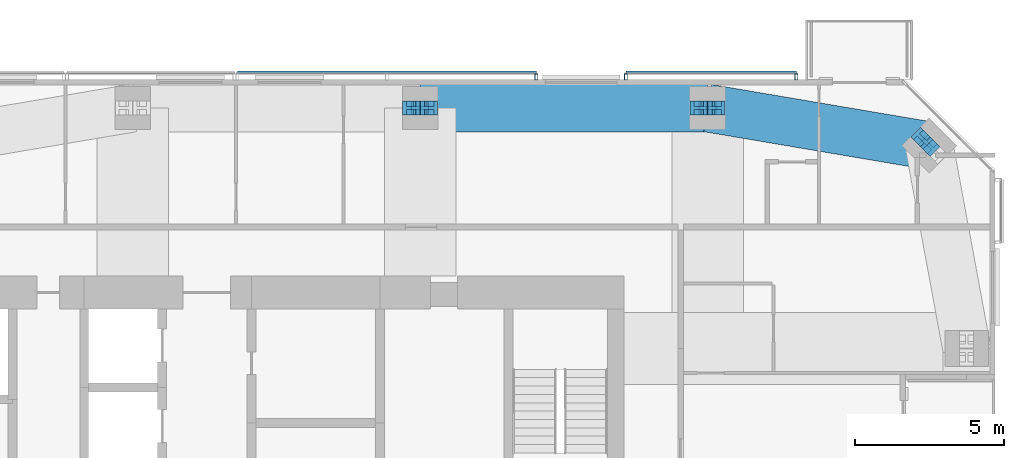
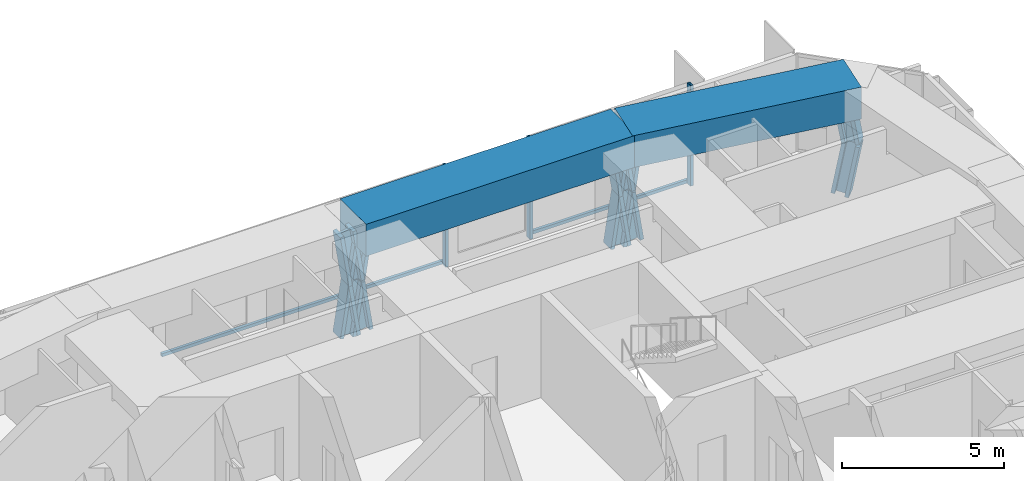
# One storey, part 11 of 20: 15 members, 2 beams, 2 elements without a shape of their own.
"""IFC4 building model written with IfcOpenShell, lengths in metres."""

import ifcopenshell
import ifcopenshell.guid

model = None  # the IFC model being written
_history = None  # IfcOwnerHistory: only IFC2X3 demands one
_inside = {}  # id of a spatial element -> (the spatial element, [elements in it])
_under = {}  # id of a project, library or spatial element -> (it, [spatial elements below it])
_declared = {}  # id of a project -> (the project, [libraries it declares])
_typed = {}  # id of a type object -> (the type object, [elements of that type])
_made_of = {}  # id of a material, layer set ... -> (it, [elements and type objects made of it])


def new_model(schema):
    """Start an empty IFC model of exactly this schema.

    Asked for "IFC4X3", IfcOpenShell would pick the latest addendum, in which some entities
    have other attributes; the version numbers below select the first issue.
    IFC2X3 requires an IfcOwnerHistory on every rooted entity: one is made here for all.
    """
    global model, _history
    if schema == "IFC4X3":
        model = ifcopenshell.file(schema_version=(4, 3, 0, 0))
    else:
        model = ifcopenshell.file(schema=schema)
    _inside.clear()
    _under.clear()
    _declared.clear()
    _typed.clear()
    _made_of.clear()
    _history = None
    if model.schema == "IFC2X3":
        org = make("IfcOrganization", Name="unknown")
        user = make(
            "IfcPersonAndOrganization",
            ThePerson=make("IfcPerson", FamilyName="unknown"),
            TheOrganization=org,
        )
        app = make(
            "IfcApplication",
            ApplicationDeveloper=org,
            Version="unknown",
            ApplicationFullName="unknown",
            ApplicationIdentifier="unknown",
        )
        _history = make(
            "IfcOwnerHistory",
            OwningUser=user,
            OwningApplication=app,
            ChangeAction="ADDED",
            CreationDate=0,
        )
    return model


def make(cls, **values):
    """One entity of the class cls with the attributes given. An attribute that is None is left unset."""
    return model.create_entity(
        cls, **{name: value for name, value in values.items() if value is not None}
    )


def rooted(cls, **values):
    """An entity with a GlobalId (a new one), such as an element, a storey or a relation."""
    return make(cls, GlobalId=ifcopenshell.guid.new(), OwnerHistory=_history, **values)


def si_unit(unit_type, name, prefix=None):
    """IfcSIUnit, for example si_unit("LENGTHUNIT", "METRE", prefix="MILLI")."""
    return make("IfcSIUnit", UnitType=unit_type, Prefix=prefix, Name=name)


def assignment(units):
    """IfcUnitAssignment: the units of a project."""
    return None if units is None else make("IfcUnitAssignment", Units=units)


def point(xyz):
    """IfcCartesianPoint."""
    return None if xyz is None else make("IfcCartesianPoint", Coordinates=xyz)


def direction(xyz):
    """IfcDirection."""
    return None if xyz is None else make("IfcDirection", DirectionRatios=xyz)


def frame(location, z_axis=None, x_axis=None):
    """IfcAxis2Placement3D, a coordinate frame: its origin and axes. An axis left out is left unset."""
    return make(
        "IfcAxis2Placement3D",
        Location=point(location),
        Axis=direction(z_axis),
        RefDirection=direction(x_axis),
    )


def frame_2d(location, x_axis=None):
    """IfcAxis2Placement2D, a coordinate frame in the plane: its origin and x axis."""
    return make(
        "IfcAxis2Placement2D", Location=point(location), RefDirection=direction(x_axis)
    )


def origin():
    """The frame at (0, 0, 0) with its axes left unset."""
    return frame((0.0, 0.0, 0.0))


def origin_2d():
    """The frame at (0, 0) in the plane with its x axis left unset."""
    return frame_2d((0.0, 0.0))


def place(relative_to, where):
    """IfcLocalPlacement: puts the frame where relative to a parent placement (None: the world)."""
    return make(
        "IfcLocalPlacement", PlacementRelTo=relative_to, RelativePlacement=where
    )


def context(
    kind, dimensions, precision=None, world=None, true_north=None, identifier=None
):
    """IfcGeometricRepresentationContext, for example the 3D "Model" context."""
    return make(
        "IfcGeometricRepresentationContext",
        ContextIdentifier=identifier,
        ContextType=kind,
        CoordinateSpaceDimension=dimensions,
        Precision=precision,
        WorldCoordinateSystem=world,
        TrueNorth=true_north,
    )


def subcontext(parent, identifier, kind, view, scale=None):
    """IfcGeometricRepresentationSubContext, for example "Body" below "Model"."""
    return make(
        "IfcGeometricRepresentationSubContext",
        ContextIdentifier=identifier,
        ContextType=kind,
        ParentContext=parent,
        TargetScale=scale,
        TargetView=view,
    )


def project(units=None, contexts=None):
    """IfcProject with its units and contexts."""
    return rooted(
        "IfcProject",
        Name="project",
        RepresentationContexts=contexts,
        UnitsInContext=assignment(units),
    )


def spatial(cls, under=None, at=None, **own):
    """A site, building, storey or space (cls), placed at a placement, below another one or the project."""
    s = rooted(cls, ObjectPlacement=at, **own)
    if under is not None:
        _under.setdefault(under.id(), (under, []))[1].append(s)
    return s


def profile(cls, at=None, kind="AREA", **sizes):
    """A parametric profile (cls). Its sizes go by their IFC names, for example OverallWidth=200.0."""
    return make(cls, ProfileType=kind, Position=at, **sizes)


def rectangle(**sizes):
    """IfcRectangleProfileDef."""
    return profile("IfcRectangleProfileDef", **sizes)


def hollow_rectangle(**sizes):
    """IfcRectangleHollowProfileDef."""
    return profile("IfcRectangleHollowProfileDef", **sizes)


def i_section(**sizes):
    """IfcIShapeProfileDef."""
    return profile("IfcIShapeProfileDef", **sizes)


def extrude(swept, where, along, depth):
    """IfcExtrudedAreaSolid: the profile swept, set in the frame where, extruded along a direction by depth."""
    return make(
        "IfcExtrudedAreaSolid",
        SweptArea=swept,
        Position=where,
        ExtrudedDirection=direction(along),
        Depth=depth,
    )


def shape(context_of_items, identifier, shape_type, items):
    """IfcShapeRepresentation: the items that make up one representation, for example the "Body"."""
    return make(
        "IfcShapeRepresentation",
        ContextOfItems=context_of_items,
        RepresentationIdentifier=identifier,
        RepresentationType=shape_type,
        Items=items,
    )


def material(Name=None, Category=None):
    """IfcMaterial."""
    return make("IfcMaterial", Name=Name, Category=Category)


def material_profile(
    of_material, cross_section, Name=None, Category=None, Priority=None
):
    """IfcMaterialProfile: a cross section and its material."""
    return make(
        "IfcMaterialProfile",
        Name=Name,
        Material=of_material,
        Profile=cross_section,
        Priority=Priority,
        Category=Category,
    )


def profile_set(profiles, Name=None, composite=None):
    """IfcMaterialProfileSet."""
    return make(
        "IfcMaterialProfileSet",
        Name=Name,
        MaterialProfiles=profiles,
        CompositeProfile=composite,
    )


def made_of(thing, what):
    """Note that an element or type object is made of a material, layer set ...; save() writes the relation."""
    if what is not None:
        _made_of.setdefault(what.id(), (what, []))[1].append(thing)
    return thing


def type_object(cls, material=None, **own):
    """A type object (cls), such as IfcWallType, which elements share."""
    return made_of(rooted(cls, **own), material)


def element(
    cls,
    number,
    at=None,
    inside=None,
    cuts=None,
    type_object=None,
    material=None,
    context=None,
    identifier="Body",
    shape_type=None,
    held_by="IfcProductDefinitionShape",
    body=None,
    shapes=None,
    **own,
):
    """One element of the class cls, such as IfcWall. Its Tag is "e" and its number.

    at: its placement. inside: the storey or other place that contains it. cuts: it is an
    opening in that element (IfcRelVoidsElement). A single representation is given by context,
    identifier, shape_type and body (its items); several are given by shapes. held_by: the class
    of the entity that holds the representations. save() writes the other relations.
    """
    e = rooted(cls, Tag="e%d" % number, ObjectPlacement=at, **own)
    if body is not None:
        shapes = [shape(context, identifier, shape_type, body)]
    if shapes is not None:
        e.Representation = make(held_by, Representations=shapes)
    if inside is not None:
        _inside.setdefault(inside.id(), (inside, []))[1].append(e)
    if cuts is not None:
        rooted(
            "IfcRelVoidsElement", RelatingBuildingElement=cuts, RelatedOpeningElement=e
        )
    if type_object is not None:
        _typed.setdefault(type_object.id(), (type_object, []))[1].append(e)
    return made_of(e, material)


def aggregate(whole, parts):
    """IfcRelAggregates: a whole, such as a stair, and the parts it consists of."""
    return rooted("IfcRelAggregates", RelatingObject=whole, RelatedObjects=parts)


def save(model, path):
    """Write the relations noted so far, then the file.

    IfcRelAggregates (storeys below a building ...), IfcRelContainedInSpatialStructure (elements
    in a storey), IfcRelDefinesByType, IfcRelAssociatesMaterial and IfcRelDeclares: one each for
    every whole, place, type object, material and project.
    """
    for whole, parts in _under.values():
        aggregate(whole, parts)
    for where, things in _inside.values():
        rooted(
            "IfcRelContainedInSpatialStructure",
            RelatedElements=things,
            RelatingStructure=where,
        )
    for kind, things in _typed.values():
        rooted("IfcRelDefinesByType", RelatedObjects=things, RelatingType=kind)
    for what, things in _made_of.values():
        rooted("IfcRelAssociatesMaterial", RelatedObjects=things, RelatingMaterial=what)
    for by, libraries in _declared.values():
        rooted("IfcRelDeclares", RelatingContext=by, RelatedDefinitions=libraries)
    model.write(path)


model = new_model("IFC4")

# Units and contexts
model_context = context("Model", 3, precision=1e-05, world=origin(), true_north=direction((0.0, 1.0)))
body_context = subcontext(model_context, "Body", "Model", "MODEL_VIEW")
ifc_project = project(units=[si_unit("LENGTHUNIT", "METRE"), si_unit("AREAUNIT", "SQUARE_METRE"), si_unit("VOLUMEUNIT", "CUBIC_METRE"), si_unit("PLANEANGLEUNIT", "RADIAN"), si_unit("MASSUNIT", "GRAM", prefix="KILO")], contexts=[model_context])

# Site, building, storey
site_placement = place(None, origin())
site = spatial("IfcSite", under=ifc_project, at=site_placement, CompositionType="ELEMENT")
building_placement = place(site_placement, origin())
building = spatial("IfcBuilding", under=site, at=building_placement, Name="Jalousie Tower", CompositionType="ELEMENT")
storey_placement = place(building_placement, frame((0.0, 0.0, 259.949951171875)))
storey = spatial("IfcBuildingStorey", under=building, at=storey_placement, Name="L71", CompositionType="ELEMENT", Elevation=259.949951171875)

# Members
ifc_material_1 = material(Name="Steel ASTM A992 Grade 50", Category="steel")
ifc_material_profile_1 = material_profile(ifc_material_1, i_section(OverallWidth=0.472412109375, OverallDepth=0.5791015625, WebThickness=0.094970703125, FlangeThickness=0.1298828125, at=origin_2d()), Name="W14X808")
ifc_profile_set_1 = profile_set([ifc_material_profile_1], Name="Steel ASTM A992 Grade 50")
member_type_1 = type_object("IfcMemberType", Name="PERIMETER BRACE W14X808", PredefinedType="BRACE", material=ifc_profile_set_1)
for number, where, z_axis, x_axis, name in (
    (1, (54.29296875, 31.79296875, 1.35009765625), (-0.124960137712, 0.124836902862, 0.984276745467), (-0.706757851183, -0.707455539091, 0.0), "Perimeter brace 08 L71 part 2"),
    (2, (54.04541015625, 32.040283203125, -0.599853515625), (0.124960137712, -0.124836902862, 0.984276745467), (0.706757851183, 0.707455539091, 0.0), "Perimeter brace 08 L71 part 3"),
):
    element("IfcMember", number, at=place(storey_placement, frame(where, z_axis=z_axis, x_axis=x_axis)), inside=storey, type_object=member_type_1, Name=name, PredefinedType="BRACE", context=body_context, shape_type="SweptSolid", body=[
        extrude(i_section(OverallWidth=0.472412109375, OverallDepth=0.5791015625, WebThickness=0.094970703125, FlangeThickness=0.1298828125, at=origin_2d()), origin(), (0.0, 0.0, 1.0), 1.981201171875),
    ])
for number, where, z_axis, x_axis, name in (
    (3, (46.574951171875, 33.050048828125, -0.599853515625), (0.152085080919, 0.0, 0.988367405453), (0.0, 1.0, 0.0), "Perimeter brace 09 L71 part 1"),
    (4, (46.875, 33.050048828125, 1.35009765625), (0.152085080919, 0.0, 0.988367405453), (0.0, 1.0, 0.0), "Perimeter brace 09 L71 part 2"),
    (5, (47.175048828125, 33.050048828125, -0.599853515625), (-0.152085080919, 0.0, 0.988367405453), (0.0, -1.0, 0.0), "Perimeter brace 09 L71 part 3"),
    (6, (46.875, 33.050048828125, 1.35009765625), (-0.152085080919, 0.0, 0.988367405453), (0.0, -1.0, 0.0), "Perimeter brace 09 L71 part 4"),
    (7, (36.949951171875, 33.050048828125, -0.599853515625), (0.152085080919, 0.0, 0.988367405453), (0.0, 1.0, 0.0), "Perimeter brace 10 L71 part 1"),
    (8, (37.25, 33.050048828125, 1.35009765625), (0.152085080919, 0.0, 0.988367405453), (0.0, 1.0, 0.0), "Perimeter brace 10 L71 part 2"),
    (9, (37.550048828125, 33.050048828125, -0.599853515625), (-0.152085080919, 0.0, 0.988367405453), (0.0, -1.0, 0.0), "Perimeter brace 10 L71 part 3"),
    (10, (37.25, 33.050048828125, 1.35009765625), (-0.152085080919, 0.0, 0.988367405453), (0.0, -1.0, 0.0), "Perimeter brace 10 L71 part 4"),
):
    element("IfcMember", number, at=place(storey_placement, frame(where, z_axis=z_axis, x_axis=x_axis)), inside=storey, type_object=member_type_1, Name=name, PredefinedType="BRACE", context=body_context, shape_type="SweptSolid", body=[
        extrude(i_section(OverallWidth=0.472412109375, OverallDepth=0.5791015625, WebThickness=0.094970703125, FlangeThickness=0.1298828125, at=origin_2d()), origin(), (0.0, 0.0, 1.0), 1.972900390625),
    ])

# Beams
ifc_material_2 = material(Name="Concrete f'c 40 MPa", Category="concrete")
ifc_material_profile_2 = material_profile(ifc_material_2, rectangle(XDim=1.60009765625, YDim=1.199951171875, at=origin_2d()), Name="RC 1600x1200")
ifc_profile_set_2 = profile_set([ifc_material_profile_2], Name="Concrete f'c 40 MPa")
beam_type = type_object("IfcBeamType", Name="RC BEAM 1600x1200", PredefinedType="BEAM", material=ifc_profile_set_2)
beam_1_placement = place(storey_placement, frame((54.29296875, 31.79296875, 3.300048828125), z_axis=(-0.985942997446, 0.167082033105, 0.0), x_axis=(-0.167082033105, -0.985942997446, 0.0)))
element("IfcBeam", 11, at=beam_1_placement, inside=storey, type_object=beam_type, Name="Edge band beam 08-09 under L72", PredefinedType="BEAM", context=body_context, shape_type="SweptSolid", body=[
    extrude(rectangle(XDim=1.60009765625, YDim=1.199951171875, at=origin_2d()), origin(), (0.0, 0.0, 1.0), 7.523681640625),
])
beam_2_placement = place(storey_placement, frame((46.875, 33.050048828125, 3.300048828125), z_axis=(-1.0, 0.0, 0.0), x_axis=(0.0, -1.0, 0.0)))
element("IfcBeam", 12, at=beam_2_placement, inside=storey, type_object=beam_type, Name="Edge band beam 09-10 under L72", PredefinedType="BEAM", context=body_context, shape_type="SweptSolid", body=[
    extrude(rectangle(XDim=1.60009765625, YDim=1.199951171875, at=origin_2d()), origin(), (0.0, 0.0, 1.0), 9.625),
])

# Curtain wall, members
ifc_material_3 = material(Name="Perforated aluminium sheet", Category="aluminium")
curtain_wall_type = type_object("IfcCurtainWallType", Name="SOLAR SCREEN SS-2", PredefinedType="USERDEFINED", material=ifc_material_3)
curtain_wall_1_placement = place(storey_placement, origin())
curtain_wall_1 = element("IfcCurtainWall", 13, at=curtain_wall_1_placement, inside=storey, type_object=curtain_wall_type, Name="Solar screen L71", ObjectType="SOLAR SCREEN SS-2", PredefinedType="USERDEFINED")
ifc_material_4 = material(Name="Steel ASTM A500 Grade C", Category="steel")
ifc_material_profile_3 = material_profile(ifc_material_4, hollow_rectangle(XDim=0.1015625, YDim=0.203125, WallThickness=0.0078125, at=origin_2d()), Name="HSS8X4X5/16")
ifc_profile_set_3 = profile_set([ifc_material_profile_3], Name="Steel ASTM A500 Grade C")
member_type_2 = type_object("IfcMemberType", Name="SOLAR SCREEN SS-2 MULLION", PredefinedType="MULLION", material=ifc_profile_set_3)
member_1_placement = place(storey_placement, frame((49.8486328125, 34.0966796875, -0.119873046875), z_axis=(0.0, 0.0, 1.0), x_axis=(-1.0, 0.0, 0.0)))
member_1 = element("IfcMember", 14, at=member_1_placement, type_object=member_type_2, Name="SS2 post 1", PredefinedType="MULLION", context=body_context, shape_type="SweptSolid", body=[
    extrude(hollow_rectangle(XDim=0.1015625, YDim=0.203125, WallThickness=0.0078125, at=origin_2d()), origin(), (0.0, 0.0, 1.0), 3.780029296875),
])
member_2_placement = place(storey_placement, frame((44.138671875, 34.0966796875, -0.119873046875), z_axis=(0.0, 0.0, 1.0), x_axis=(-1.0, 0.0, 0.0)))
member_2 = element("IfcMember", 15, at=member_2_placement, type_object=member_type_2, Name="SS2 post 2", PredefinedType="MULLION", context=body_context, shape_type="SweptSolid", body=[
    extrude(hollow_rectangle(XDim=0.1015625, YDim=0.203125, WallThickness=0.0078125, at=origin_2d()), origin(), (0.0, 0.0, 1.0), 3.780029296875),
])

# Curtain wall, member
curtain_wall_2_placement = place(storey_placement, origin())
curtain_wall_2 = element("IfcCurtainWall", 16, at=curtain_wall_2_placement, inside=storey, type_object=curtain_wall_type, Name="Solar screen L71", ObjectType="SOLAR SCREEN SS-2", PredefinedType="USERDEFINED")
member_3_placement = place(storey_placement, frame((41.138671875, 34.0966796875, -0.119873046875), z_axis=(0.0, 0.0, 1.0), x_axis=(-1.0, 0.0, 0.0)))
member_3 = element("IfcMember", 17, at=member_3_placement, type_object=member_type_2, Name="SS2 post 1", PredefinedType="MULLION", context=body_context, shape_type="SweptSolid", body=[
    extrude(hollow_rectangle(XDim=0.1015625, YDim=0.203125, WallThickness=0.0078125, at=origin_2d()), origin(), (0.0, 0.0, 1.0), 3.780029296875),
])

# Member
ifc_material_5 = material(Name="Extruded aluminium screen rail", Category="aluminium")
ifc_material_profile_4 = material_profile(ifc_material_5, rectangle(XDim=0.1015625, YDim=0.1201171875, at=origin_2d()), Name="RAIL 102x120")
ifc_profile_set_4 = profile_set([ifc_material_profile_4], Name="Extruded aluminium screen rail")
member_type_3 = type_object("IfcMemberType", Name="SOLAR SCREEN SS-2 TRANSOM", PredefinedType="USERDEFINED", material=ifc_profile_set_4)
member_4_placement = place(storey_placement, frame((49.8486328125, 34.2490234375, -0.06005859375), z_axis=(-1.0, 0.0, 0.0), x_axis=(0.0, -1.0, 0.0)))
member_4 = element("IfcMember", 18, at=member_4_placement, type_object=member_type_3, Name="SS2 rail", ObjectType="TRANSOM", PredefinedType="USERDEFINED", context=body_context, shape_type="SweptSolid", body=[
    extrude(rectangle(XDim=0.1015625, YDim=0.1201171875, at=origin_2d()), origin(), (0.0, 0.0, 1.0), 5.7099609375),
])

aggregate(curtain_wall_1, [member_1, member_2, member_4])

member_5_placement = place(storey_placement, frame((41.138671875, 34.2490234375, -0.06005859375), z_axis=(-1.0, 0.0, 0.0), x_axis=(0.0, -1.0, 0.0)))
member_5 = element("IfcMember", 19, at=member_5_placement, type_object=member_type_3, Name="SS2 rail", ObjectType="TRANSOM", PredefinedType="USERDEFINED", context=body_context, shape_type="SweptSolid", body=[
    extrude(rectangle(XDim=0.1015625, YDim=0.1201171875, at=origin_2d()), origin(), (0.0, 0.0, 1.0), 10.013671875),
])

aggregate(curtain_wall_2, [member_3, member_5])

save(model, "model.ifc")
